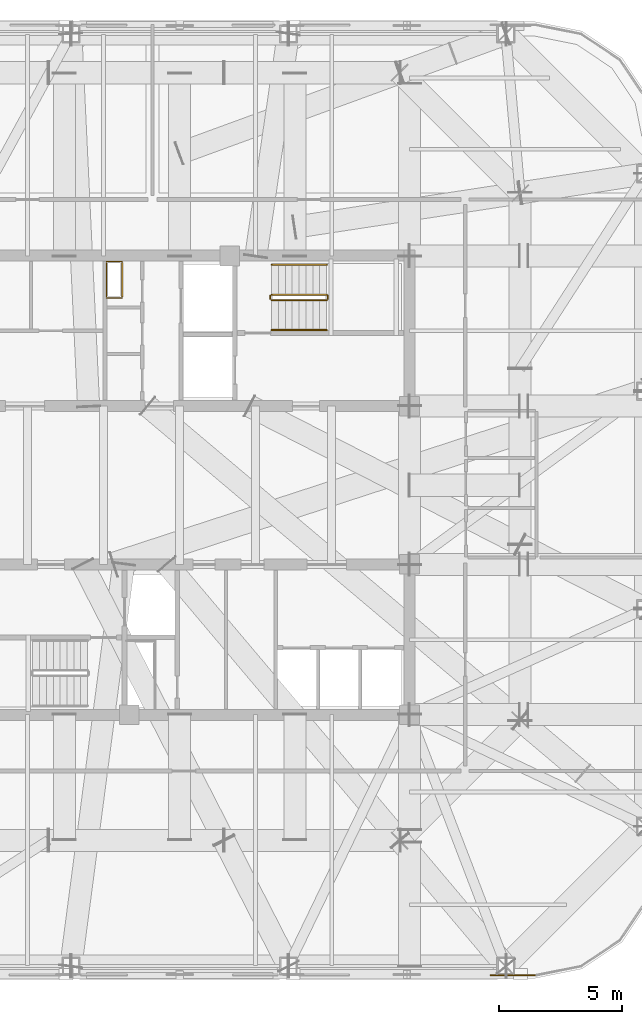
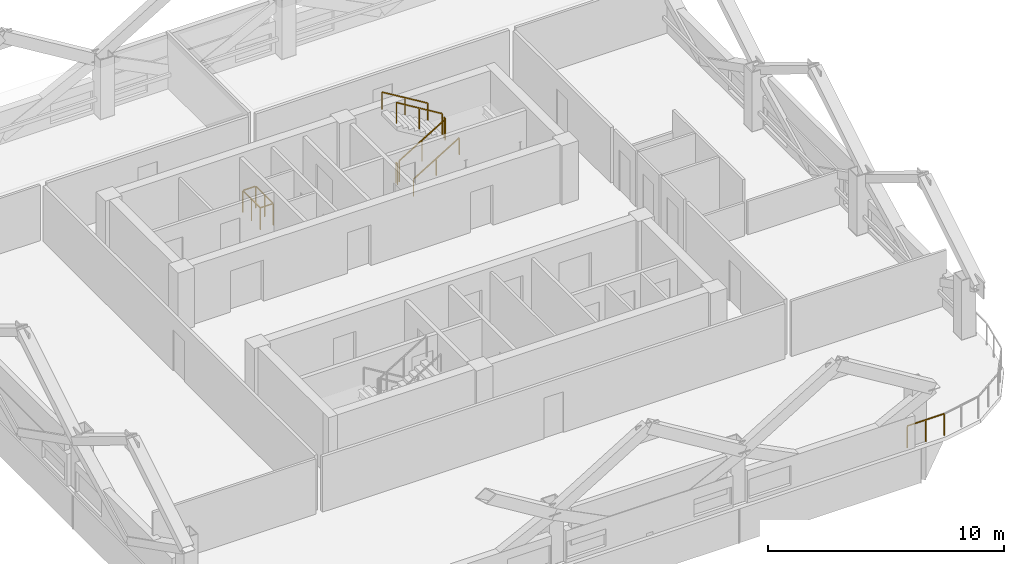
# One storey, part 10 of 11: 8 railings.
"""IFC4 building model written with IfcOpenShell, lengths in metres."""

from ifc_helpers import new_model, si_unit, direction, frame, origin, origin_2d, place, context, subcontext, project, spatial, rectangle, extrude, material, type_object, element, save


model = new_model("IFC4")

# Units and contexts
model_context = context("Model", 3, precision=1e-05, world=origin(), true_north=direction((0.0, 1.0)))
body_context = subcontext(model_context, "Body", "Model", "MODEL_VIEW")
ifc_project = project(units=[si_unit("LENGTHUNIT", "METRE"), si_unit("AREAUNIT", "SQUARE_METRE"), si_unit("VOLUMEUNIT", "CUBIC_METRE"), si_unit("PLANEANGLEUNIT", "RADIAN"), si_unit("MASSUNIT", "GRAM", prefix="KILO")], contexts=[model_context])

# Site, building, storey
site_placement = place(None, origin())
site = spatial("IfcSite", under=ifc_project, at=site_placement, CompositionType="ELEMENT")
building_placement = place(site_placement, origin())
building = spatial("IfcBuilding", under=site, at=building_placement, Name="Qhalaya Broadcast Tower", CompositionType="ELEMENT")
storey_placement = place(building_placement, frame((0.0, 0.0, 199.5)))
storey = spatial("IfcBuildingStorey", under=building, at=storey_placement, Name="L58", CompositionType="ELEMENT", Elevation=199.5)

# Railings
ifc_material = material(Name="Powder-Coated Galvanised Steel", Category="steel")
railing_type_1 = type_object("IfcRailingType", Name="Stair Wall Handrail 900", PredefinedType="HANDRAIL", material=ifc_material)
railing_1_placement = place(storey_placement, frame((3.75, 6.929931640625, 0.16943359375)))
element("IfcRailing", 1, at=railing_1_placement, inside=storey, type_object=railing_type_1, Name="L58 ST-1 Stair Handrail 1", PredefinedType="HANDRAIL", context=body_context, shape_type="SweptSolid", body=[
    extrude(rectangle(XDim=0.048095703125, YDim=0.048095703125, at=origin_2d()), frame((0.0, 0.0, 0.8759765625), z_axis=(0.855553338991, 0.0, 0.51771467445), x_axis=(0.0, 1.0, 0.0)), (0.0, 0.0, 1.0), 2.6181640625),
    extrude(rectangle(XDim=0.0419921875, YDim=0.0419921875, at=origin_2d()), origin(), (0.0, 0.0, 1.0), 0.849853515625),
    extrude(rectangle(XDim=0.0419921875, YDim=0.0419921875, at=origin_2d()), frame((1.1201171875, 0.0, 0.677734375)), (0.0, 0.0, 1.0), 0.849853515625),
    extrude(rectangle(XDim=0.0419921875, YDim=0.0419921875, at=origin_2d()), frame((2.239990234375, 0.0, 1.35546875)), (0.0, 0.0, 1.0), 0.849853515625),
])
railing_2_placement = place(storey_placement, frame((5.989990234375, 9.590087890625, 1.6943359375)))
element("IfcRailing", 2, at=railing_2_placement, inside=storey, type_object=railing_type_1, Name="L58 ST-1 Stair Handrail 2", PredefinedType="HANDRAIL", context=body_context, shape_type="SweptSolid", body=[
    extrude(rectangle(XDim=0.048095703125, YDim=0.048095703125, at=origin_2d()), frame((0.0, 0.0, 0.8759765625), z_axis=(-0.855512035549, 0.0, 0.517782924622), x_axis=(0.0, -1.0, 0.0)), (0.0, 0.0, 1.0), 2.618408203125),
    extrude(rectangle(XDim=0.0419921875, YDim=0.0419921875, at=origin_2d()), origin(), (0.0, 0.0, 1.0), 0.849853515625),
    extrude(rectangle(XDim=0.0419921875, YDim=0.0419921875, at=origin_2d()), frame((-1.1201171875, 0.0, 0.677734375)), (0.0, 0.0, 1.0), 0.849853515625),
    extrude(rectangle(XDim=0.0419921875, YDim=0.0419921875, at=origin_2d()), frame((-2.239990234375, 0.0, 1.355712890625)), (0.0, 0.0, 1.0), 0.849853515625),
])
railing_type_2 = type_object("IfcRailingType", Name="Stair Well & Landing Guardrail 1100", PredefinedType="GUARDRAIL", material=ifc_material)
railing_3_placement = place(storey_placement, frame((-2.340087890625, 8.239990234375, 0.0)))
element("IfcRailing", 3, at=railing_3_placement, inside=storey, type_object=railing_type_2, Name="L58 Service Riser Opening Safety Guard NRSR", PredefinedType="GUARDRAIL", context=body_context, shape_type="SweptSolid", body=[
    extrude(rectangle(XDim=0.048095703125, YDim=0.048095703125, at=origin_2d()), frame((0.0, 0.02880859375, 1.1259765625), z_axis=(0.0, 1.0, 0.0), x_axis=(-1.0, 0.0, 0.0)), (0.0, 0.0, 1.0), 1.42236328125),
    extrude(rectangle(XDim=0.048095703125, YDim=0.048095703125, at=origin_2d()), frame((-0.02880859375, 1.47998046875, 1.1259765625), z_axis=(-1.0, 0.0, 0.0), x_axis=(0.0, -1.0, 0.0)), (0.0, 0.0, 1.0), 0.582275390625),
    extrude(rectangle(XDim=0.048095703125, YDim=0.048095703125, at=origin_2d()), frame((-0.639892578125, 1.451171875, 1.1259765625), z_axis=(0.0, -1.0, 0.0), x_axis=(1.0, 0.0, 0.0)), (0.0, 0.0, 1.0), 1.42236328125),
    extrude(rectangle(XDim=0.048095703125, YDim=0.048095703125, at=origin_2d()), frame((-0.611083984375, 0.0, 1.1259765625), z_axis=(1.0, 0.0, 0.0), x_axis=(0.0, 1.0, 0.0)), (0.0, 0.0, 1.0), 0.582275390625),
    extrude(rectangle(XDim=0.0419921875, YDim=0.0419921875, at=origin_2d()), origin(), (0.0, 0.0, 1.0), 1.099853515625),
    extrude(rectangle(XDim=0.0419921875, YDim=0.0419921875, at=origin_2d()), frame((0.0, 0.739990234375, 0.0)), (0.0, 0.0, 1.0), 1.099853515625),
    extrude(rectangle(XDim=0.0419921875, YDim=0.0419921875, at=origin_2d()), frame((0.0, 1.47998046875, 0.0)), (0.0, 0.0, 1.0), 1.099853515625),
    extrude(rectangle(XDim=0.0419921875, YDim=0.0419921875, at=origin_2d()), frame((-0.639892578125, 1.47998046875, 0.0)), (0.0, 0.0, 1.0), 1.099853515625),
    extrude(rectangle(XDim=0.0419921875, YDim=0.0419921875, at=origin_2d()), frame((-0.639892578125, 0.739990234375, 0.0)), (0.0, 0.0, 1.0), 1.099853515625),
    extrude(rectangle(XDim=0.0419921875, YDim=0.0419921875, at=origin_2d()), frame((-0.639892578125, 0.0, 0.0)), (0.0, 0.0, 1.0), 1.099853515625),
])
railing_4_placement = place(storey_placement, frame((3.75, 8.14990234375, 0.16943359375)))
element("IfcRailing", 4, at=railing_4_placement, inside=storey, type_object=railing_type_2, Name="L58 ST-1 Stair Guard 1", PredefinedType="GUARDRAIL", context=body_context, shape_type="SweptSolid", body=[
    extrude(rectangle(XDim=0.048095703125, YDim=0.048095703125, at=origin_2d()), frame((0.0, 0.0, 1.076171875), z_axis=(0.855553338991, 0.0, 0.51771467445), x_axis=(0.0, 1.0, 0.0)), (0.0, 0.0, 1.0), 2.6181640625),
    extrude(rectangle(XDim=0.0419921875, YDim=0.0419921875, at=origin_2d()), origin(), (0.0, 0.0, 1.0), 1.050048828125),
    extrude(rectangle(XDim=0.0419921875, YDim=0.0419921875, at=origin_2d()), frame((1.1201171875, 0.0, 0.677734375)), (0.0, 0.0, 1.0), 1.050048828125),
    extrude(rectangle(XDim=0.0419921875, YDim=0.0419921875, at=origin_2d()), frame((2.239990234375, 0.0, 1.35546875)), (0.0, 0.0, 1.0), 1.050048828125),
])
railing_5_placement = place(storey_placement, frame((6.0400390625, 8.199951171875, 1.52490234375)))
element("IfcRailing", 5, at=railing_5_placement, inside=storey, type_object=railing_type_2, Name="L58 ST-1 Stair Guard 2", PredefinedType="GUARDRAIL", context=body_context, shape_type="SweptSolid", body=[
    extrude(rectangle(XDim=0.048095703125, YDim=0.048095703125, at=origin_2d()), frame((0.0, 0.0, 1.076171875), z_axis=(0.0, 1.0, 0.0), x_axis=(-1.0, 0.0, 0.0)), (0.0, 0.0, 1.0), 0.1201171875),
    extrude(rectangle(XDim=0.0419921875, YDim=0.0419921875, at=origin_2d()), origin(), (0.0, 0.0, 1.0), 1.050048828125),
    extrude(rectangle(XDim=0.0419921875, YDim=0.0419921875, at=origin_2d()), frame((0.0, 0.1201171875, 0.0)), (0.0, 0.0, 1.0), 1.050048828125),
])
railing_6_placement = place(storey_placement, frame((5.989990234375, 8.3701171875, 1.6943359375)))
element("IfcRailing", 6, at=railing_6_placement, inside=storey, type_object=railing_type_2, Name="L58 ST-1 Stair Guard 3", PredefinedType="GUARDRAIL", context=body_context, shape_type="SweptSolid", body=[
    extrude(rectangle(XDim=0.048095703125, YDim=0.048095703125, at=origin_2d()), frame((0.0, 0.0, 1.076171875), z_axis=(-0.855512035549, 0.0, 0.517782924622), x_axis=(0.0, -1.0, 0.0)), (0.0, 0.0, 1.0), 2.618408203125),
    extrude(rectangle(XDim=0.0419921875, YDim=0.0419921875, at=origin_2d()), origin(), (0.0, 0.0, 1.0), 1.050048828125),
    extrude(rectangle(XDim=0.0419921875, YDim=0.0419921875, at=origin_2d()), frame((-1.1201171875, 0.0, 0.677734375)), (0.0, 0.0, 1.0), 1.050048828125),
    extrude(rectangle(XDim=0.0419921875, YDim=0.0419921875, at=origin_2d()), frame((-2.239990234375, 0.0, 1.355712890625)), (0.0, 0.0, 1.0), 1.050048828125),
])
railing_7_placement = place(storey_placement, frame((3.699951171875, 8.199951171875, 0.0)))
element("IfcRailing", 7, at=railing_7_placement, inside=storey, type_object=railing_type_2, Name="L58 ST-1 Stair Guard 4", PredefinedType="GUARDRAIL", context=body_context, shape_type="SweptSolid", body=[
    extrude(rectangle(XDim=0.048095703125, YDim=0.048095703125, at=origin_2d()), frame((0.0, 0.0, 1.076171875), z_axis=(0.0, 1.0, 0.0), x_axis=(-1.0, 0.0, 0.0)), (0.0, 0.0, 1.0), 0.1201171875),
    extrude(rectangle(XDim=0.0419921875, YDim=0.0419921875, at=origin_2d()), origin(), (0.0, 0.0, 1.0), 1.050048828125),
    extrude(rectangle(XDim=0.0419921875, YDim=0.0419921875, at=origin_2d()), frame((0.0, 0.1201171875, 0.0)), (0.0, 0.0, 1.0), 1.050048828125),
])
railing_type_3 = type_object("IfcRailingType", Name="Terrace, Sky-Pool & Lookout Glass Balustrade 1150", PredefinedType="BALUSTRADE", material=ifc_material)
railing_8_placement = place(storey_placement, frame((14.48828125, -19.3798828125, 0.0)))
element("IfcRailing", 8, at=railing_8_placement, inside=storey, type_object=railing_type_3, Name="L58 Rounded Corner Perimeter Guard 01", PredefinedType="BALUSTRADE", context=body_context, shape_type="SweptSolid", body=[
    extrude(rectangle(XDim=0.048095703125, YDim=0.048095703125, at=origin_2d()), frame((0.0, 0.0, 1.1259765625), z_axis=(-1.0, 0.0, 0.0), x_axis=(0.0, -1.0, 0.0)), (0.0, 0.0, 1.0), 1.806396484375),
    extrude(rectangle(XDim=0.0419921875, YDim=0.0419921875, at=origin_2d()), origin(), (0.0, 0.0, 1.0), 1.099853515625),
    extrude(rectangle(XDim=0.0419921875, YDim=0.0419921875, at=origin_2d()), frame((-0.9033203125, 0.0, 0.0)), (0.0, 0.0, 1.0), 1.099853515625),
    extrude(rectangle(XDim=0.0419921875, YDim=0.0419921875, at=origin_2d()), frame((-1.806396484375, 0.0, 0.0)), (0.0, 0.0, 1.0), 1.099853515625),
])

save(model, "model.ifc")
